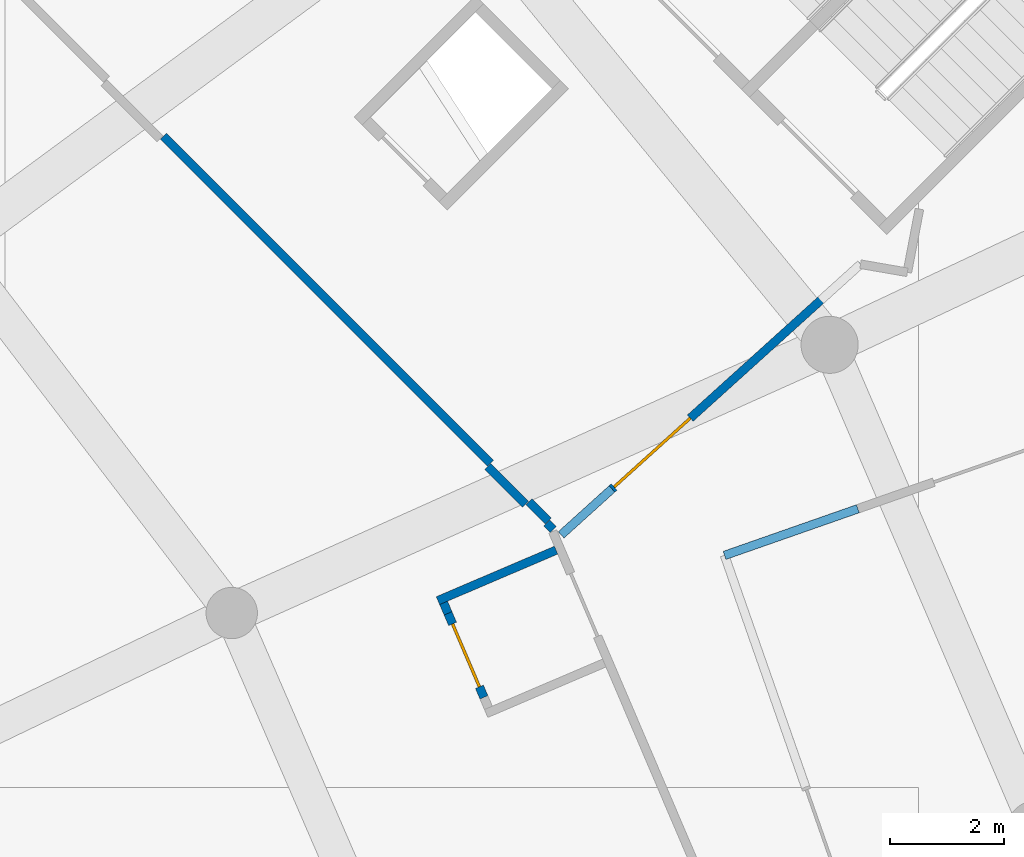
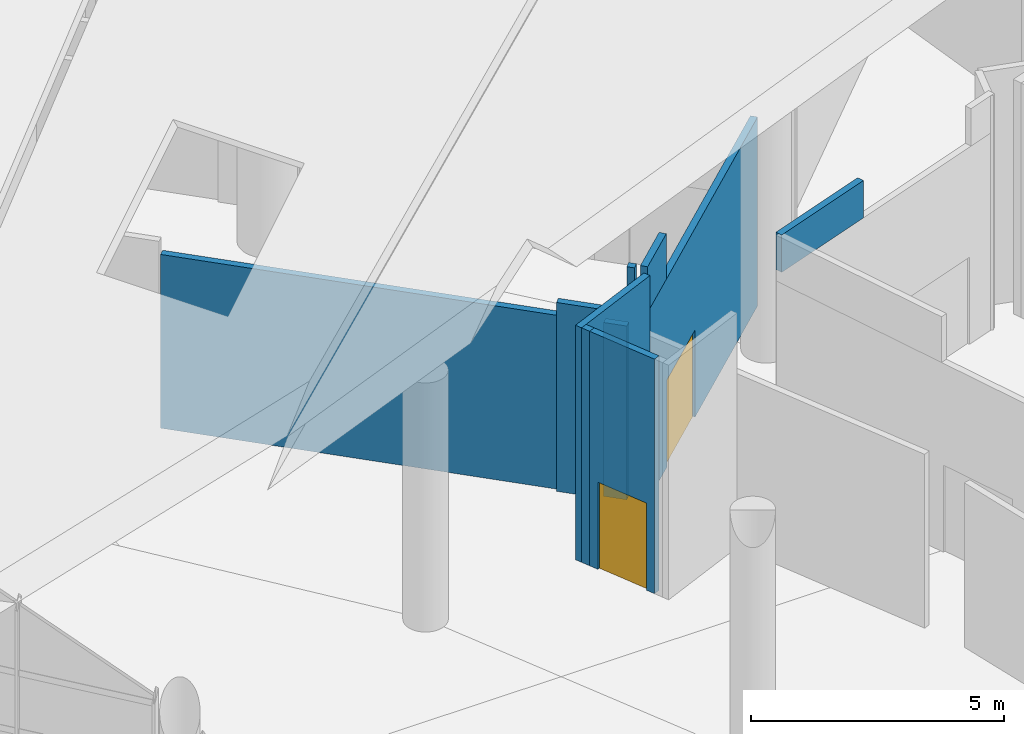
# One storey, part 169 of 249: 10 walls, 2 doors, 2 openings.
"""IFC4 building model written with IfcOpenShell, lengths in metres."""

from ifc_helpers import new_model, si_unit, direction, frame, frame_2d, origin, place, context, subcontext, project, spatial, rectangle, extrude, material, layer, layer_set, type_object, element, fill, save


model = new_model("IFC4")

# Units and contexts
model_context = context("Model", 3, precision=1e-05, world=origin(), true_north=direction((0.0, 1.0)))
body_context = subcontext(model_context, "Body", "Model", "MODEL_VIEW")
ifc_project = project(units=[si_unit("LENGTHUNIT", "METRE"), si_unit("AREAUNIT", "SQUARE_METRE"), si_unit("VOLUMEUNIT", "CUBIC_METRE"), si_unit("PLANEANGLEUNIT", "RADIAN"), si_unit("MASSUNIT", "GRAM", prefix="KILO")], contexts=[model_context])

# Site, building, storey
site_placement = place(None, origin())
site = spatial("IfcSite", under=ifc_project, at=site_placement, CompositionType="ELEMENT")
building_placement = place(site_placement, origin())
building = spatial("IfcBuilding", under=site, at=building_placement, Name="Meseta Stadium", CompositionType="ELEMENT")
storey_placement = place(building_placement, frame((0.0, 0.0, 12.0)))
storey = spatial("IfcBuildingStorey", under=building, at=storey_placement, Name="L02", CompositionType="ELEMENT", Elevation=12.0)

# Walls
ifc_material_1 = material(Name="Masonry blockwork", Category="masonry")
ifc_layer = layer(ifc_material_1, 0.14990234375)
ifc_layer_set = layer_set([ifc_layer], Name="Partition 150")
wall_type = type_object("IfcWallType", Name="Partition 150", PredefinedType="PARTITIONING", material=ifc_layer_set)
wall_1_placement = place(storey_placement, frame((66.77880859375, 75.410400390625, 0.0), z_axis=(0.0, 0.0, 1.0), x_axis=(0.707091708943, -0.707121853109, 0.0)))
element("IfcWall", 1, at=wall_1_placement, inside=storey, type_object=wall_type, Name="Partition L02 L02-cell05-0-0", PredefinedType="PARTITIONING", context=body_context, shape_type="SweptSolid", body=[
    extrude(rectangle(XDim=8.09912109375, YDim=0.14990234375, at=frame_2d((4.049560546875, 0.0))), origin(), (0.0, 0.0, 1.0), 4.18701171875),
])
wall_2_placement = place(storey_placement, frame((73.179443359375, 69.009521484375, 0.0), z_axis=(0.0, 0.0, 1.0), x_axis=(0.707106781187, -0.707106781187, 0.0)))
element("IfcWall", 2, at=wall_2_placement, inside=storey, type_object=wall_type, Name="Partition L02 L02-cell05-0-0", PredefinedType="PARTITIONING", context=body_context, shape_type="SweptSolid", body=[
    extrude(rectangle(XDim=0.4765625, YDim=0.14990234375, at=frame_2d((0.23828125, 0.0))), origin(), (0.0, 0.0, 1.0), 4.18701171875),
])
wall_3_placement = place(storey_placement, frame((78.940673828125, 68.88427734375, 4.75), z_axis=(0.0, 0.0, 1.0), x_axis=(-0.943892194222, -0.330253729256, 0.0)))
element("IfcWall", 3, at=wall_3_placement, inside=storey, type_object=wall_type, Name="Stair vestibule wall L02 core 06", PredefinedType="PARTITIONING", context=body_context, shape_type="SweptSolid", body=[
    extrude(rectangle(XDim=2.474365234375, YDim=0.14990234375, at=frame_2d((1.2373046875, 0.0))), origin(), (0.0, 0.0, 1.0), 0.89990234375),
])
wall_4_placement = place(storey_placement, frame((72.459716796875, 69.623291015625, 0.0), z_axis=(0.0, 0.0, 1.0), x_axis=(0.707106781187, -0.707106781187, 0.0)))
element("IfcWall", 4, at=wall_4_placement, inside=storey, type_object=wall_type, Name="Stair vestibule wall L02 core 07", PredefinedType="PARTITIONING", context=body_context, shape_type="SweptSolid", body=[
    extrude(rectangle(XDim=0.932861328125, YDim=0.14990234375, at=frame_2d((0.46630859375, 0.0))), origin(), (0.0, 0.0, 1.0), 4.550048828125),
])
wall_5_placement = place(storey_placement, frame((73.49169921875, 68.6337890625, 0.0), z_axis=(0.0, 0.0, 1.0), x_axis=(0.706331870343, -0.707880843743, 0.0)))
element("IfcWall", 5, at=wall_5_placement, inside=storey, type_object=wall_type, Name="Stair vestibule wall L02 core 07", PredefinedType="PARTITIONING", context=body_context, shape_type="SweptSolid", body=[
    extrude(rectangle(XDim=0.15771484375, YDim=0.14990234375, at=frame_2d((0.078857421875, 0.0))), origin(), (0.0, 0.0, 1.0), 5.64990234375),
])

# Wall, opening, door
wall_6_placement = place(storey_placement, frame((73.742431640625, 68.427001953125, 0.0), z_axis=(0.0, 0.0, 1.0), x_axis=(0.741827757785, 0.670590469496, 0.0)))
wall_6 = element("IfcWall", 6, at=wall_6_placement, inside=storey, type_object=wall_type, Name="Stair vestibule wall L02 core 07", PredefinedType="PARTITIONING", context=body_context, shape_type="SweptSolid", body=[
    extrude(rectangle(XDim=7.0703125, YDim=0.14990234375, at=frame_2d((3.53515625, 0.0))), origin(), (0.0, 0.0, 1.0), 4.550048828125),
])
opening_1_placement = place(wall_6_placement, frame((1.25, 0.0, 0.0)))
opening_1 = element("IfcOpeningElement", 7, at=opening_1_placement, cuts=wall_6, Name="Opening D1188", PredefinedType="OPENING", context=body_context, shape_type="SweptSolid", body=[
    extrude(rectangle(XDim=1.800048828125, YDim=2.10009765625, at=frame_2d((0.89990234375, 1.050048828125))), frame((0.0, 0.0849609375, 0.0), z_axis=(0.0, -1.0, 0.0), x_axis=(1.0, 0.0, 0.0)), (0.0, 0.0, 1.0), 0.169921875),
])
ifc_material_2 = material(Name="Steel", Category="steel")
door_type_1 = type_object("IfcDoorType", Name="Fire double door 1800x2100 EI2 60", OperationType="DOUBLE_DOOR_SINGLE_SWING", PredefinedType="DOOR", material=ifc_material_2)
door_1_placement = place(opening_1_placement, origin())
door_1 = element("IfcDoor", 8, at=door_1_placement, inside=storey, type_object=door_type_1, Name="Stair vestibule door L02 core 07", OperationType="DOUBLE_DOOR_SINGLE_SWING", OverallHeight=2.10009765625, OverallWidth=1.800048828125, PredefinedType="DOOR", context=body_context, shape_type="SweptSolid", body=[
    extrude(rectangle(XDim=1.800048828125, YDim=2.10009765625, at=frame_2d((0.89990234375, 1.050048828125))), frame((0.0, 0.02490234375, 0.0), z_axis=(0.0, -1.0, 0.0), x_axis=(1.0, 0.0, 0.0)), (0.0, 0.0, 1.0), 0.050048828125),
])
fill(opening_1, door_1)

# Walls
wall_7_placement = place(storey_placement, frame((73.742431640625, 68.427001953125, 4.550048828125), z_axis=(0.0, 0.0, 1.0), x_axis=(0.741906759341, 0.670503065201, 0.0)))
element("IfcWall", 9, at=wall_7_placement, inside=storey, type_object=wall_type, Name="Stair vestibule wall L02 core 07", PredefinedType="PARTITIONING", context=body_context, shape_type="SweptSolid", body=[
    extrude(rectangle(XDim=1.2001953125, YDim=0.14990234375, at=frame_2d((0.60009765625, 0.0))), origin(), (0.0, 0.0, 1.0), 1.099853515625),
])
wall_8_placement = place(storey_placement, frame((73.654052734375, 68.1591796875, 0.0), z_axis=(0.0, 0.0, 1.0), x_axis=(-0.919638165537, -0.392766653993, 0.0)))
element("IfcWall", 10, at=wall_8_placement, inside=storey, type_object=wall_type, Name="Partition L02 L02-cell05-0-0 vestibule", PredefinedType="PARTITIONING", context=body_context, shape_type="SweptSolid", body=[
    extrude(rectangle(XDim=2.250244140625, YDim=0.14990234375, at=frame_2d((1.125, 0.0))), origin(), (0.0, 0.0, 1.0), 5.64990234375),
])
wall_9_placement = place(storey_placement, frame((71.683349609375, 67.236083984375, 0.0), z_axis=(0.0, 0.0, 1.0), x_axis=(0.391709037985, -0.920089142182, 0.0)))
element("IfcWall", 11, at=wall_9_placement, inside=storey, type_object=wall_type, Name="Partition L02 L02-cell05-0-0 vestibule", PredefinedType="PARTITIONING", context=body_context, shape_type="SweptSolid", body=[
    extrude(rectangle(XDim=0.199951171875, YDim=0.14990234375, at=frame_2d((0.10009765625, 0.0))), origin(), (0.0, 0.0, 1.0), 5.64990234375),
])

# Wall, opening, door
wall_10_placement = place(storey_placement, frame((71.76171875, 67.052001953125, 0.0), z_axis=(0.0, 0.0, 1.0), x_axis=(0.392758797822, -0.919641520775, 0.0)))
wall_10 = element("IfcWall", 12, at=wall_10_placement, inside=storey, type_object=wall_type, Name="Partition L02 L02-cell05-0-0 vestibule", PredefinedType="PARTITIONING", context=body_context, shape_type="SweptSolid", body=[
    extrude(rectangle(XDim=1.60009765625, YDim=0.14990234375, at=frame_2d((0.800048828125, 0.0))), origin(), (0.0, 0.0, 1.0), 5.64990234375),
])
opening_2_placement = place(wall_10_placement, frame((0.199951171875, 0.0, 0.0)))
opening_2 = element("IfcOpeningElement", 13, at=opening_2_placement, cuts=wall_10, Name="Opening D1183", PredefinedType="OPENING", context=body_context, shape_type="SweptSolid", body=[
    extrude(rectangle(XDim=1.199951171875, YDim=2.10009765625, at=frame_2d((0.60009765625, 1.050048828125))), frame((0.0, 0.0849609375, 0.0), z_axis=(0.0, -1.0, 0.0), x_axis=(1.0, 0.0, 0.0)), (0.0, 0.0, 1.0), 0.169921875),
])
ifc_material_3 = material(Name="Steel", Category="steel")
door_type_2 = type_object("IfcDoorType", Name="Fire door 1200x2100 EI2 60", OperationType="NOTDEFINED", PredefinedType="DOOR", material=ifc_material_3)
door_2_placement = place(opening_2_placement, origin())
door_2 = element("IfcDoor", 14, at=door_2_placement, inside=storey, type_object=door_type_2, Name="Vestibule door L02 L02-cell05-0-0", OperationType="SINGLE_SWING_RIGHT", OverallHeight=2.10009765625, OverallWidth=1.199951171875, PredefinedType="DOOR", context=body_context, shape_type="SweptSolid", body=[
    extrude(rectangle(XDim=1.199951171875, YDim=2.10009765625, at=frame_2d((0.60009765625, 1.050048828125))), frame((0.0, 0.02490234375, 0.0), z_axis=(0.0, -1.0, 0.0), x_axis=(1.0, 0.0, 0.0)), (0.0, 0.0, 1.0), 0.050048828125),
])
fill(opening_2, door_2)

save(model, "model.ifc")
